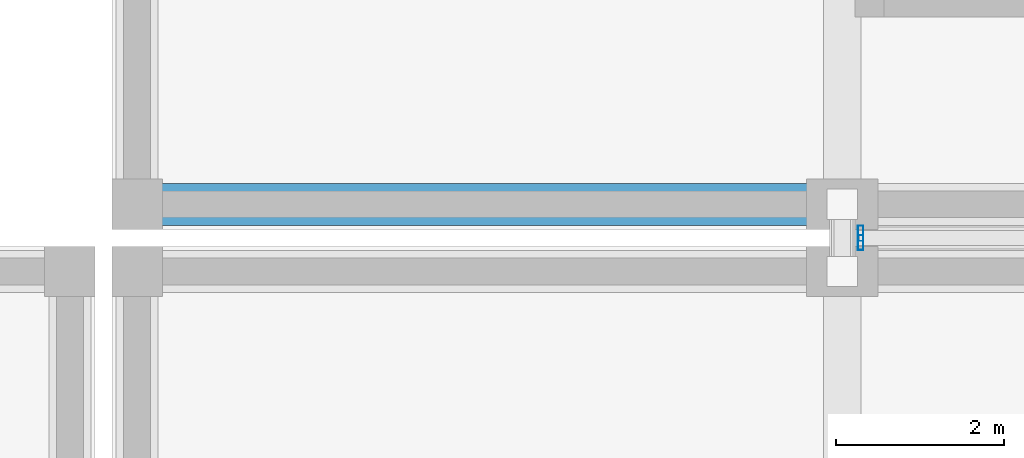
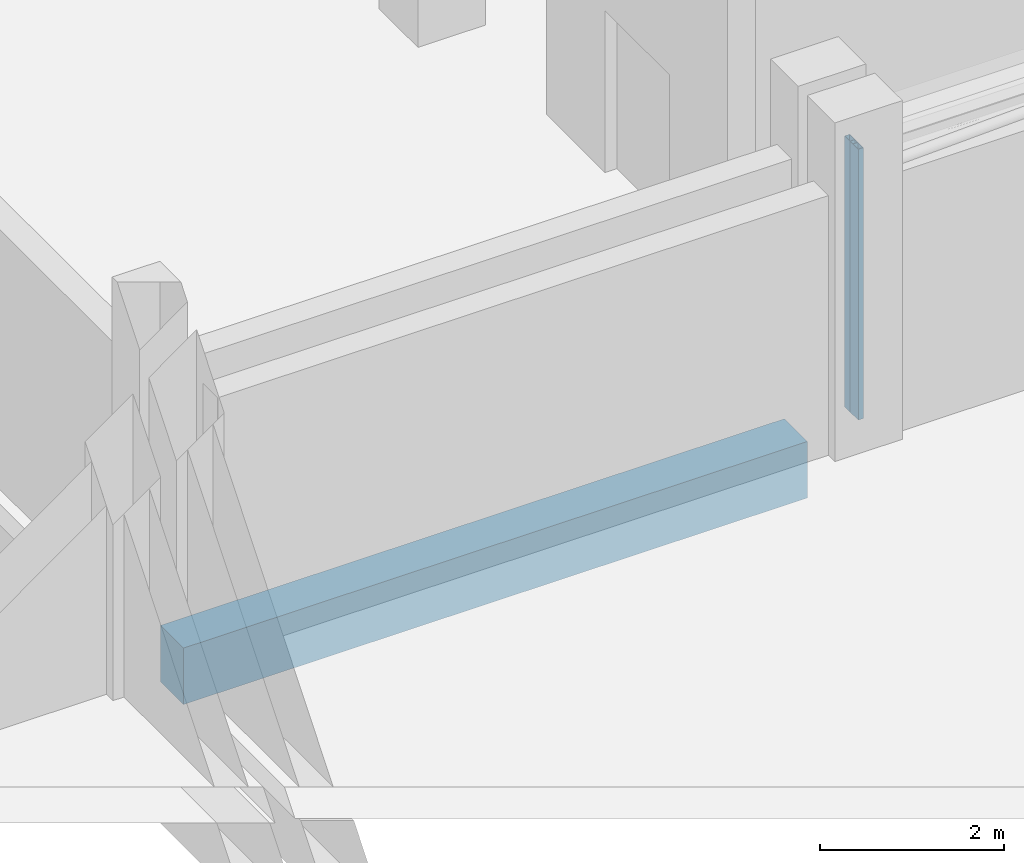
# One storey, part 41 of 137: 2 members, 1 beam, 1 element without a shape of its own.
"""IFC4 building model written with IfcOpenShell, lengths in metres."""

from ifc_helpers import new_model, si_unit, direction, frame, origin, origin_2d, place, context, subcontext, project, spatial, rectangle, hollow_rectangle, extrude, material, layer, layer_set, material_profile, profile_set, type_object, element, aggregate, save


model = new_model("IFC4")

# Units and contexts
model_context = context("Model", 3, precision=1e-05, world=origin(), true_north=direction((0.0, 1.0)))
body_context = subcontext(model_context, "Body", "Model", "MODEL_VIEW")
ifc_project = project(units=[si_unit("LENGTHUNIT", "METRE"), si_unit("AREAUNIT", "SQUARE_METRE"), si_unit("VOLUMEUNIT", "CUBIC_METRE"), si_unit("PLANEANGLEUNIT", "RADIAN"), si_unit("MASSUNIT", "GRAM", prefix="KILO")], contexts=[model_context])

# Site, building, storey
site_placement = place(None, origin())
site = spatial("IfcSite", under=ifc_project, at=site_placement, CompositionType="ELEMENT")
building_placement = place(site_placement, origin())
building = spatial("IfcBuilding", under=site, at=building_placement, Name="Xazarin Passage Department Store", CompositionType="ELEMENT")
storey_placement = place(building_placement, frame((0.0, 0.0, 5.39990234375)))
storey = spatial("IfcBuildingStorey", under=building, at=storey_placement, Name="L01", CompositionType="ELEMENT", Elevation=5.39990234375)

# Curtain wall, members
ifc_material_1 = material(Name="Bronze anodised aluminium", Category="aluminium")
ifc_layer = layer(ifc_material_1, 0.14990234375)
ifc_layer_set = layer_set([ifc_layer], Name="Bronze anodised aluminium")
curtain_wall_type = type_object("IfcCurtainWallType", Name="ARC-CW-BRG1", PredefinedType="NOTDEFINED", material=ifc_layer_set)
curtain_wall_placement = place(storey_placement, origin())
curtain_wall = element("IfcCurtainWall", 1, at=curtain_wall_placement, inside=storey, type_object=curtain_wall_type, Name="L01 BR-V2S-V2N Bridge Curtain Wall 1", PredefinedType="NOTDEFINED")
ifc_material_profile_1 = material_profile(ifc_material_1, hollow_rectangle(XDim=0.06494140625, YDim=0.179931640625, WallThickness=0.00390625, at=origin_2d()), Name="ALU 65x180")
ifc_profile_set_1 = profile_set([ifc_material_profile_1], Name="Bronze anodised aluminium")
member_type = type_object("IfcMemberType", Name="ARC-CWM-65x180", PredefinedType="MULLION", material=ifc_profile_set_1)
member_1_placement = place(storey_placement, frame((76.6201171875, 50.742431640625, 0.0), z_axis=(0.0, 0.0, 1.0), x_axis=(-1.0, 0.0, 0.0)))
member_1 = element("IfcMember", 2, at=member_1_placement, type_object=member_type, Name="CW7 mullion 1", PredefinedType="MULLION", context=body_context, shape_type="SweptSolid", body=[
    extrude(hollow_rectangle(XDim=0.06494140625, YDim=0.179931640625, WallThickness=0.00390625, at=origin_2d()), origin(), (0.0, 0.0, 1.0), 3.60009765625),
])
member_2_placement = place(storey_placement, frame((76.6201171875, 50.857421875, 0.0), z_axis=(0.0, 0.0, 1.0), x_axis=(-1.0, 0.0, 0.0)))
member_2 = element("IfcMember", 3, at=member_2_placement, type_object=member_type, Name="CW7 mullion 2", PredefinedType="MULLION", context=body_context, shape_type="SweptSolid", body=[
    extrude(hollow_rectangle(XDim=0.06494140625, YDim=0.179931640625, WallThickness=0.00390625, at=origin_2d()), origin(), (0.0, 0.0, 1.0), 3.60009765625),
])
aggregate(curtain_wall, [member_1, member_2])

# Beam
ifc_material_2 = material(Name="Concrete C35/45", Category="concrete")
ifc_material_profile_2 = material_profile(ifc_material_2, rectangle(XDim=0.5, YDim=0.75, at=origin_2d()), Name="RC 500x750")
ifc_profile_set_2 = profile_set([ifc_material_profile_2], Name="Concrete C35/45")
beam_type = type_object("IfcBeamType", Name="STR-BM-SP500x750", PredefinedType="SPANDREL", material=ifc_profile_set_2)
beam_placement = place(storey_placement, frame((68.280029296875, 51.199951171875, -0.6748046875), z_axis=(1.0, 0.0, 0.0), x_axis=(0.0, 1.0, 0.0)))
element("IfcBeam", 4, at=beam_placement, inside=storey, type_object=beam_type, Name="L01 Grid Beam H/10-11", PredefinedType="SPANDREL", context=body_context, shape_type="SweptSolid", body=[
    extrude(rectangle(XDim=0.5, YDim=0.75, at=origin_2d()), origin(), (0.0, 0.0, 1.0), 7.840087890625),
])

save(model, "model.ifc")
